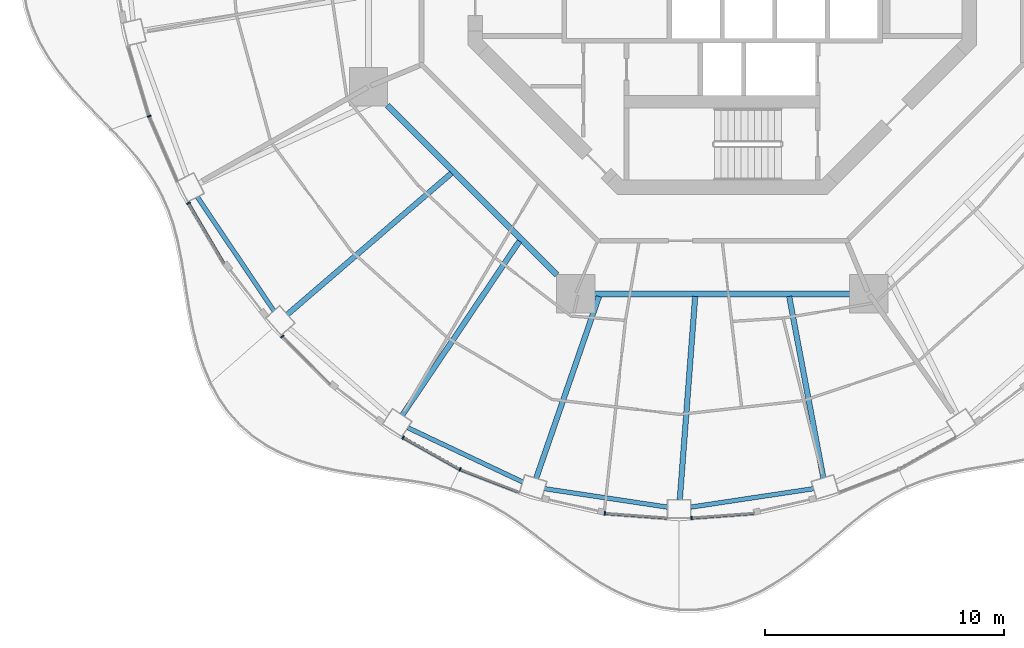
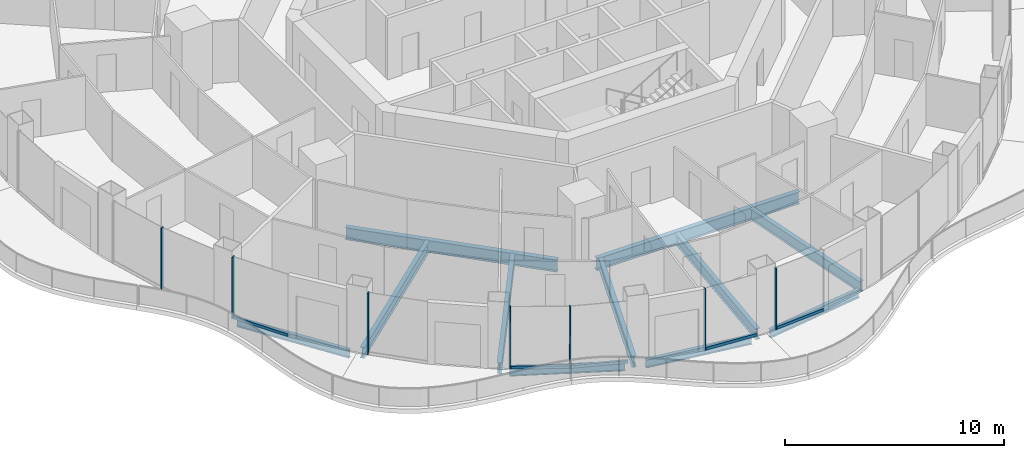
# One storey, part 2 of 18: 12 members, 11 beams, 7 elements without a shape of their own.
"""IFC4 building model written with IfcOpenShell, lengths in metres."""

from ifc_helpers import new_model, si_unit, direction, frame, origin, origin_2d, place, context, subcontext, project, spatial, rectangle, i_section, extrude, material, layer, layer_set, material_profile, profile_set, type_object, element, aggregate, save


model = new_model("IFC4")

# Units and contexts
model_context = context("Model", 3, precision=1e-05, world=origin(), true_north=direction((0.0, 1.0)))
body_context = subcontext(model_context, "Body", "Model", "MODEL_VIEW")
ifc_project = project(units=[si_unit("LENGTHUNIT", "METRE"), si_unit("AREAUNIT", "SQUARE_METRE"), si_unit("VOLUMEUNIT", "CUBIC_METRE"), si_unit("PLANEANGLEUNIT", "RADIAN"), si_unit("MASSUNIT", "GRAM", prefix="KILO")], contexts=[model_context])

# Site, building, storey
site_placement = place(None, origin())
site = spatial("IfcSite", under=ifc_project, at=site_placement, CompositionType="ELEMENT")
building_placement = place(site_placement, origin())
building = spatial("IfcBuilding", under=site, at=building_placement, Name="Nagisa Residences", CompositionType="ELEMENT")
storey_placement = place(building_placement, frame((0.0, 0.0, 245.5)))
storey = spatial("IfcBuildingStorey", under=building, at=storey_placement, Name="L62", CompositionType="ELEMENT", Elevation=245.5)

# Curtain wall, member
ifc_material_1 = material(Name="Concrete-coloured aluminium curtain wall system", Category="concrete")
ifc_layer = layer(ifc_material_1, 0.159912109375)
ifc_layer_set = layer_set([ifc_layer], Name="CW1 CURTAIN WALL")
curtain_wall_type = type_object("IfcCurtainWallType", Name="CW1 CURTAIN WALL", PredefinedType="NOTDEFINED", material=ifc_layer_set)
curtain_wall_1_placement = place(storey_placement, origin())
curtain_wall_1 = element("IfcCurtainWall", 1, at=curtain_wall_1_placement, inside=storey, type_object=curtain_wall_type, Name="cw:CW1:L62:27", PredefinedType="NOTDEFINED")
ifc_material_2 = material(Name="Concrete-coloured aluminium", Category="concrete")
ifc_material_profile_1 = material_profile(ifc_material_2, rectangle(XDim=0.159912109375, YDim=0.06005859375, at=origin_2d()), Name="CW1 MULLION 160x60")
ifc_profile_set_1 = profile_set([ifc_material_profile_1], Name="Concrete-coloured aluminium")
member_type_1 = type_object("IfcMemberType", Name="CW1 MULLION 160x60", PredefinedType="MULLION", material=ifc_profile_set_1)
member_1_placement = place(storey_placement, frame((-23.952392578125, -7.359619140625, 0.0), z_axis=(0.0, 0.0, 1.0), x_axis=(0.917543276295, 0.397635934147, 0.0)))
member_1 = element("IfcMember", 2, at=member_1_placement, type_object=member_type_1, Name="CW1 mullion", PredefinedType="MULLION", context=body_context, shape_type="SweptSolid", body=[
    extrude(rectangle(XDim=0.159912109375, YDim=0.06005859375, at=origin_2d()), origin(), (0.0, 0.0, 1.0), 3.43994140625),
])
aggregate(curtain_wall_1, [member_1])

curtain_wall_2_placement = place(storey_placement, origin())
curtain_wall_2 = element("IfcCurtainWall", 3, at=curtain_wall_2_placement, inside=storey, type_object=curtain_wall_type, Name="cw:CW1:L62:28", PredefinedType="NOTDEFINED")
member_2_placement = place(storey_placement, frame((-22.307861328125, -10.993896484375, 0.0), z_axis=(0.0, 0.0, 1.0), x_axis=(0.862328898214, 0.506348567002, 0.0)))
member_2 = element("IfcMember", 4, at=member_2_placement, type_object=member_type_1, Name="CW1 mullion", PredefinedType="MULLION", context=body_context, shape_type="SweptSolid", body=[
    extrude(rectangle(XDim=0.159912109375, YDim=0.06005859375, at=origin_2d()), origin(), (0.0, 0.0, 1.0), 3.43994140625),
])

curtain_wall_3_placement = place(storey_placement, origin())
curtain_wall_3 = element("IfcCurtainWall", 5, at=curtain_wall_3_placement, inside=storey, type_object=curtain_wall_type, Name="cw:CW1:L62:30", PredefinedType="NOTDEFINED")
member_3_placement = place(storey_placement, frame((-18.388427734375, -16.567626953125, 0.0), z_axis=(0.0, 0.0, 1.0), x_axis=(0.706376885714, 0.707835924016, 0.0)))
member_3 = element("IfcMember", 6, at=member_3_placement, type_object=member_type_1, Name="CW1 mullion", PredefinedType="MULLION", context=body_context, shape_type="SweptSolid", body=[
    extrude(rectangle(XDim=0.159912109375, YDim=0.06005859375, at=origin_2d()), origin(), (0.0, 0.0, 1.0), 3.43994140625),
])
aggregate(curtain_wall_3, [member_3])

curtain_wall_4_placement = place(storey_placement, origin())
curtain_wall_4 = element("IfcCurtainWall", 7, at=curtain_wall_4_placement, inside=storey, type_object=curtain_wall_type, Name="cw:CW1:L62:32", PredefinedType="NOTDEFINED")
member_4_placement = place(storey_placement, frame((-13.333740234375, -20.792236328125, 0.0), z_axis=(0.0, 0.0, 1.0), x_axis=(0.489376918501, 0.872072377523, 0.0)))
member_4 = element("IfcMember", 8, at=member_4_placement, type_object=member_type_1, Name="CW1 mullion", PredefinedType="MULLION", context=body_context, shape_type="SweptSolid", body=[
    extrude(rectangle(XDim=0.159912109375, YDim=0.06005859375, at=origin_2d()), origin(), (0.0, 0.0, 1.0), 3.43994140625),
])

curtain_wall_5_placement = place(storey_placement, origin())
curtain_wall_5 = element("IfcCurtainWall", 9, at=curtain_wall_5_placement, inside=storey, type_object=curtain_wall_type, Name="cw:CW1:L62:33", PredefinedType="NOTDEFINED")
member_5_placement = place(storey_placement, frame((-10.954345703125, -22.12353515625, 0.0), z_axis=(0.0, 0.0, 1.0), x_axis=(0.360327770268, 0.932825759707, 0.0)))
member_5 = element("IfcMember", 10, at=member_5_placement, type_object=member_type_1, Name="CW1 mullion", PredefinedType="MULLION", context=body_context, shape_type="SweptSolid", body=[
    extrude(rectangle(XDim=0.159912109375, YDim=0.06005859375, at=origin_2d()), origin(), (0.0, 0.0, 1.0), 3.43994140625),
])

curtain_wall_6_placement = place(storey_placement, origin())
curtain_wall_6 = element("IfcCurtainWall", 11, at=curtain_wall_6_placement, inside=storey, type_object=curtain_wall_type, Name="cw:CW1:L62:35", PredefinedType="NOTDEFINED")
member_6_placement = place(storey_placement, frame((-4.906005859375, -23.96044921875, 0.0), z_axis=(0.0, 0.0, 1.0), x_axis=(0.074377355493, 0.997230168512, 0.0)))
member_6 = element("IfcMember", 12, at=member_6_placement, type_object=member_type_1, Name="CW1 mullion", PredefinedType="MULLION", context=body_context, shape_type="SweptSolid", body=[
    extrude(rectangle(XDim=0.159912109375, YDim=0.06005859375, at=origin_2d()), origin(), (0.0, 0.0, 1.0), 3.43994140625),
])

curtain_wall_7_placement = place(storey_placement, origin())
curtain_wall_7 = element("IfcCurtainWall", 13, at=curtain_wall_7_placement, inside=storey, type_object=curtain_wall_type, Name="cw:CW1:L62:36", PredefinedType="NOTDEFINED")
member_7_placement = place(storey_placement, frame((-1.27734375, -24.153076171875, 0.0), z_axis=(0.0, 0.0, 1.0), x_axis=(-0.074377355493, 0.997230168512, 0.0)))
member_7 = element("IfcMember", 14, at=member_7_placement, type_object=member_type_1, Name="CW1 mullion", PredefinedType="MULLION", context=body_context, shape_type="SweptSolid", body=[
    extrude(rectangle(XDim=0.159912109375, YDim=0.06005859375, at=origin_2d()), origin(), (0.0, 0.0, 1.0), 3.43994140625),
])

# Member
ifc_material_3 = material(Name="Concrete-coloured aluminium", Category="concrete")
ifc_material_profile_2 = material_profile(ifc_material_3, rectangle(XDim=0.1201171875, YDim=0.14990234375, at=origin_2d()), Name="CW1 TRANSOM 120x150")
ifc_profile_set_2 = profile_set([ifc_material_profile_2], Name="Concrete-coloured aluminium")
member_type_2 = type_object("IfcMemberType", Name="CW1 TRANSOM 120x150", PredefinedType="USERDEFINED", material=ifc_profile_set_2)
member_8_placement = place(storey_placement, frame((-22.322998046875, -10.968017578125, 0.074951171875), z_axis=(0.506294090973, -0.862360883532, 0.0), x_axis=(0.862360883532, 0.506294090973, 0.0)))
member_8 = element("IfcMember", 15, at=member_8_placement, type_object=member_type_2, Name="CW1 transom", ObjectType="TRANSOM", PredefinedType="USERDEFINED", context=body_context, shape_type="SweptSolid", body=[
    extrude(rectangle(XDim=0.1201171875, YDim=0.14990234375, at=origin_2d()), origin(), (0.0, 0.0, 1.0), 2.95458984375),
])

aggregate(curtain_wall_2, [member_2, member_8])

member_9_placement = place(storey_placement, frame((-13.35986328125, -20.777587890625, 0.074951171875), z_axis=(0.872063230277, -0.489393218586, 0.0), x_axis=(0.489393218586, 0.872063230277, 0.0)))
member_9 = element("IfcMember", 16, at=member_9_placement, type_object=member_type_2, Name="CW1 transom", ObjectType="TRANSOM", PredefinedType="USERDEFINED", context=body_context, shape_type="SweptSolid", body=[
    extrude(rectangle(XDim=0.1201171875, YDim=0.14990234375, at=origin_2d()), origin(), (0.0, 0.0, 1.0), 2.73828125),
])

aggregate(curtain_wall_4, [member_4, member_9])

member_10_placement = place(storey_placement, frame((-10.982421875, -22.11279296875, 0.074951171875), z_axis=(0.932838255163, -0.360295420044, 0.0), x_axis=(0.360295420044, 0.932838255163, 0.0)))
member_10 = element("IfcMember", 17, at=member_10_placement, type_object=member_type_2, Name="CW1 transom", ObjectType="TRANSOM", PredefinedType="USERDEFINED", context=body_context, shape_type="SweptSolid", body=[
    extrude(rectangle(XDim=0.1201171875, YDim=0.14990234375, at=origin_2d()), origin(), (0.0, 0.0, 1.0), 2.6962890625),
])

aggregate(curtain_wall_5, [member_5, member_10])

member_11_placement = place(storey_placement, frame((-4.935791015625, -23.958251953125, 0.074951171875), z_axis=(0.997233213085, -0.074336523458, 0.0), x_axis=(0.074336523458, 0.997233213085, 0.0)))
member_11 = element("IfcMember", 18, at=member_11_placement, type_object=member_type_2, Name="CW1 transom", ObjectType="TRANSOM", PredefinedType="USERDEFINED", context=body_context, shape_type="SweptSolid", body=[
    extrude(rectangle(XDim=0.1201171875, YDim=0.14990234375, at=origin_2d()), origin(), (0.0, 0.0, 1.0), 2.650390625),
])

aggregate(curtain_wall_6, [member_6, member_11])

member_12_placement = place(storey_placement, frame((-1.307373046875, -24.1552734375, 0.074951171875), z_axis=(0.997233213085, 0.074336523458, 0.0), x_axis=(-0.074336523458, 0.997233213085, 0.0)))
member_12 = element("IfcMember", 19, at=member_12_placement, type_object=member_type_2, Name="CW1 transom", ObjectType="TRANSOM", PredefinedType="USERDEFINED", context=body_context, shape_type="SweptSolid", body=[
    extrude(rectangle(XDim=0.1201171875, YDim=0.14990234375, at=origin_2d()), origin(), (0.0, 0.0, 1.0), 2.650390625),
])

aggregate(curtain_wall_7, [member_7, member_12])

# Beams
ifc_material_4 = material(Name="Steel ASTM A572 Gr 50", Category="steel")
ifc_material_profile_3 = material_profile(ifc_material_4, i_section(OverallWidth=0.2529296875, OverallDepth=0.677978515625, WebThickness=0.01171875, FlangeThickness=0.016357421875, at=origin_2d()), Name="W690x125")
ifc_profile_set_3 = profile_set([ifc_material_profile_3], Name="Steel ASTM A572 Gr 50")
beam_type_1 = type_object("IfcBeamType", Name="Inner ring beam W690x125", PredefinedType="BEAM", material=ifc_profile_set_3)
beam_1_placement = place(storey_placement, frame((-13.99609375, -6.90869140625, -0.59912109375), z_axis=(0.707106781187, -0.707106781187, 0.0), x_axis=(0.707106781187, 0.707106781187, 0.0)))
element("IfcBeam", 20, at=beam_1_placement, inside=storey, type_object=beam_type_1, Name="beam:L62:ib5", PredefinedType="BEAM", context=body_context, shape_type="SweptSolid", body=[
    extrude(i_section(OverallWidth=0.2529296875, OverallDepth=0.677978515625, WebThickness=0.01171875, FlangeThickness=0.016357421875, at=origin_2d()), origin(), (0.0, 0.0, 1.0), 10.023193359375),
])
beam_2_placement = place(storey_placement, frame((-5.343017578125, -14.781982421875, -0.59912109375), z_axis=(1.0, 0.0, 0.0), x_axis=(0.0, 1.0, 0.0)))
element("IfcBeam", 21, at=beam_2_placement, inside=storey, type_object=beam_type_1, Name="beam:L62:ib6", PredefinedType="BEAM", context=body_context, shape_type="SweptSolid", body=[
    extrude(i_section(OverallWidth=0.2529296875, OverallDepth=0.677978515625, WebThickness=0.01171875, FlangeThickness=0.016357421875, at=origin_2d()), origin(), (0.0, 0.0, 1.0), 10.68603515625),
])
ifc_material_5 = material(Name="Steel ASTM A572 Gr 50", Category="steel")
ifc_material_profile_4 = material_profile(ifc_material_5, i_section(OverallWidth=0.18994140625, OverallDepth=0.45703125, WebThickness=0.009033203125, FlangeThickness=0.014404296875, at=origin_2d()), Name="W460x74")
ifc_profile_set_4 = profile_set([ifc_material_profile_4], Name="Steel ASTM A572 Gr 50")
beam_type_2 = type_object("IfcBeamType", Name="Perimeter ring beam W460x74", PredefinedType="BEAM", material=ifc_profile_set_4)
beam_3_placement = place(storey_placement, frame((-21.942138671875, -10.728759765625, -0.488525390625), z_axis=(0.558079852096, -0.829787249049, 0.0), x_axis=(0.829787249049, 0.558079852096, 0.0)))
element("IfcBeam", 22, at=beam_3_placement, inside=storey, type_object=beam_type_2, Name="beam:L62:pb15", PredefinedType="BEAM", context=body_context, shape_type="SweptSolid", body=[
    extrude(i_section(OverallWidth=0.18994140625, OverallDepth=0.45703125, WebThickness=0.009033203125, FlangeThickness=0.014404296875, at=origin_2d()), origin(), (0.0, 0.0, 1.0), 5.743408203125),
])
beam_4_placement = place(storey_placement, frame((-13.146484375, -20.376953125, -0.488525390625), z_axis=(0.904133867308, -0.42724928319, 0.0), x_axis=(0.42724928319, 0.904133867308, 0.0)))
element("IfcBeam", 23, at=beam_4_placement, inside=storey, type_object=beam_type_2, Name="beam:L62:pb17", PredefinedType="BEAM", context=body_context, shape_type="SweptSolid", body=[
    extrude(i_section(OverallWidth=0.18994140625, OverallDepth=0.45703125, WebThickness=0.009033203125, FlangeThickness=0.014404296875, at=origin_2d()), origin(), (0.0, 0.0, 1.0), 5.317138671875),
])
for number, where, z_axis, x_axis, name in (
    (24, (-7.42041015625, -22.92822265625, -0.488525390625), (0.988909463745, -0.148519603133, 0.0), (0.148519603133, 0.988909463745, 0.0), "beam:L62:pb18"),
    (25, (-1.31982421875, -23.7001953125, -0.488525390625), (0.988909463745, 0.148519603133, 0.0), (-0.148519603133, 0.988909463745, 0.0), "beam:L62:pb19"),
):
    element("IfcBeam", number, at=place(storey_placement, frame(where, z_axis=z_axis, x_axis=x_axis)), inside=storey, type_object=beam_type_2, Name=name, PredefinedType="BEAM", context=body_context, shape_type="SweptSolid", body=[
        extrude(i_section(OverallWidth=0.18994140625, OverallDepth=0.45703125, WebThickness=0.009033203125, FlangeThickness=0.014404296875, at=origin_2d()), origin(), (0.0, 0.0, 1.0), 5.19775390625),
    ])
ifc_material_6 = material(Name="Steel ASTM A572 Gr 50", Category="steel")
ifc_material_profile_5 = material_profile(ifc_material_6, i_section(OverallWidth=0.22802734375, OverallDepth=0.60302734375, WebThickness=0.010498046875, FlangeThickness=0.014892578125, at=origin_2d()), Name="W610x101")
ifc_profile_set_5 = profile_set([ifc_material_profile_5], Name="Steel ASTM A572 Gr 50")
beam_type_3 = type_object("IfcBeamType", Name="Radial beam W610x101", PredefinedType="BEAM", material=ifc_profile_set_5)
beam_5_placement = place(storey_placement, frame((-18.178466796875, -15.6484375, -0.5615234375), z_axis=(0.7578828397, 0.652390681485, 0.0), x_axis=(-0.652390681485, 0.7578828397, 0.0)))
element("IfcBeam", 26, at=beam_5_placement, inside=storey, type_object=beam_type_3, Name="beam:L62:rb16", PredefinedType="BEAM", context=body_context, shape_type="SweptSolid", body=[
    extrude(i_section(OverallWidth=0.22802734375, OverallDepth=0.60302734375, WebThickness=0.010498046875, FlangeThickness=0.014892578125, at=origin_2d()), origin(), (0.0, 0.0, 1.0), 9.055908203125),
])
beam_6_placement = place(storey_placement, frame((-13.372802734375, -19.8544921875, -0.5615234375), z_axis=(0.558639079644, 0.829410862416, 0.0), x_axis=(-0.829410862416, 0.558639079644, 0.0)))
element("IfcBeam", 27, at=beam_6_placement, inside=storey, type_object=beam_type_3, Name="beam:L62:rb17", PredefinedType="BEAM", context=body_context, shape_type="SweptSolid", body=[
    extrude(i_section(OverallWidth=0.22802734375, OverallDepth=0.60302734375, WebThickness=0.010498046875, FlangeThickness=0.014892578125, at=origin_2d()), origin(), (0.0, 0.0, 1.0), 8.7685546875),
])
beam_7_placement = place(storey_placement, frame((-7.776123046875, -22.49658203125, -0.5615234375), z_axis=(0.32669171318, 0.945130956291, 0.0), x_axis=(-0.945130956291, 0.32669171318, 0.0)))
element("IfcBeam", 28, at=beam_7_placement, inside=storey, type_object=beam_type_3, Name="beam:L62:rb18", PredefinedType="BEAM", context=body_context, shape_type="SweptSolid", body=[
    extrude(i_section(OverallWidth=0.22802734375, OverallDepth=0.60302734375, WebThickness=0.010498046875, FlangeThickness=0.014892578125, at=origin_2d()), origin(), (0.0, 0.0, 1.0), 8.048583984375),
])
beam_8_placement = place(storey_placement, frame((-1.771240234375, -23.392333984375, -0.5615234375), z_axis=(0.075492377513, 0.997146378892, 0.0), x_axis=(-0.997146378892, 0.075492377513, 0.0)))
element("IfcBeam", 29, at=beam_8_placement, inside=storey, type_object=beam_type_3, Name="beam:L62:rb19", PredefinedType="BEAM", context=body_context, shape_type="SweptSolid", body=[
    extrude(i_section(OverallWidth=0.22802734375, OverallDepth=0.60302734375, WebThickness=0.010498046875, FlangeThickness=0.014892578125, at=origin_2d()), origin(), (0.0, 0.0, 1.0), 8.528076171875),
])
beam_9_placement = place(storey_placement, frame((4.229736328125, -22.480224609375, -0.5615234375), z_axis=(-0.184925861179, 0.982752474363, 0.0), x_axis=(-0.982752474363, -0.184925861179, 0.0)))
element("IfcBeam", 30, at=beam_9_placement, inside=storey, type_object=beam_type_3, Name="beam:L62:rb20", PredefinedType="BEAM", context=body_context, shape_type="SweptSolid", body=[
    extrude(i_section(OverallWidth=0.22802734375, OverallDepth=0.60302734375, WebThickness=0.010498046875, FlangeThickness=0.014892578125, at=origin_2d()), origin(), (0.0, 0.0, 1.0), 7.724609375),
])

save(model, "model.ifc")
